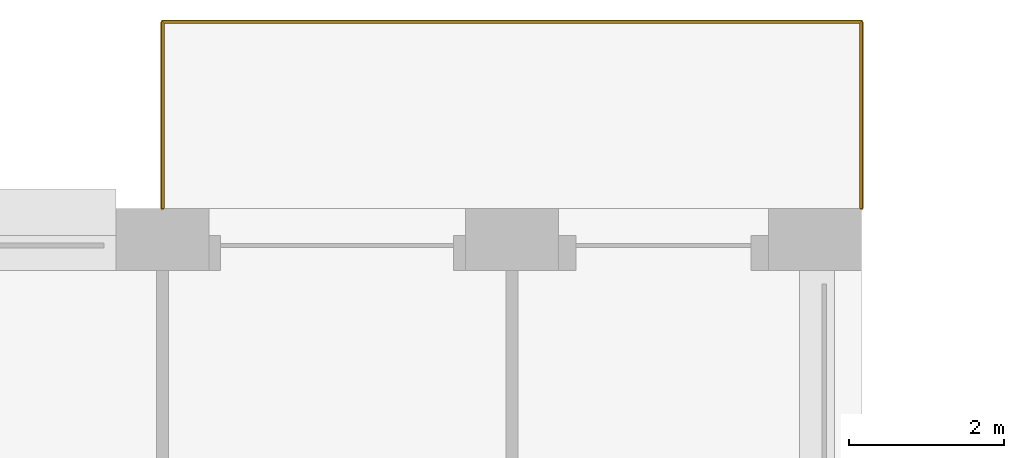
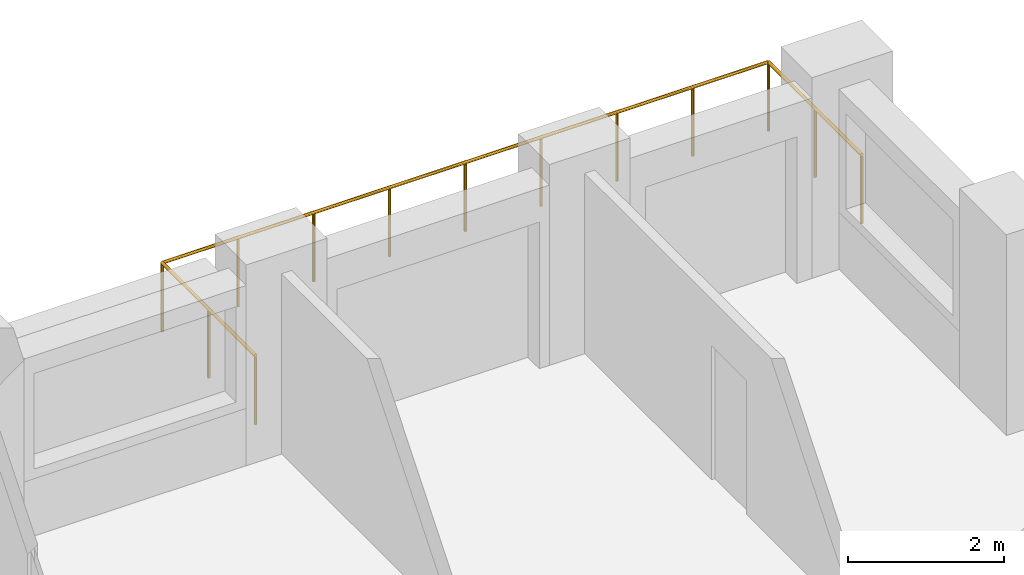
# One storey, part 19 of 19: 1 railing.
"""IFC4 building model written with IfcOpenShell, lengths in metres."""

import ifcopenshell
import ifcopenshell.guid

model = None  # the IFC model being written
_history = None  # IfcOwnerHistory: only IFC2X3 demands one
_inside = {}  # id of a spatial element -> (the spatial element, [elements in it])
_under = {}  # id of a project, library or spatial element -> (it, [spatial elements below it])
_declared = {}  # id of a project -> (the project, [libraries it declares])
_typed = {}  # id of a type object -> (the type object, [elements of that type])
_made_of = {}  # id of a material, layer set ... -> (it, [elements and type objects made of it])


def new_model(schema):
    """Start an empty IFC model of exactly this schema.

    Asked for "IFC4X3", IfcOpenShell would pick the latest addendum, in which some entities
    have other attributes; the version numbers below select the first issue.
    IFC2X3 requires an IfcOwnerHistory on every rooted entity: one is made here for all.
    """
    global model, _history
    if schema == "IFC4X3":
        model = ifcopenshell.file(schema_version=(4, 3, 0, 0))
    else:
        model = ifcopenshell.file(schema=schema)
    _inside.clear()
    _under.clear()
    _declared.clear()
    _typed.clear()
    _made_of.clear()
    _history = None
    if model.schema == "IFC2X3":
        org = make("IfcOrganization", Name="unknown")
        user = make(
            "IfcPersonAndOrganization",
            ThePerson=make("IfcPerson", FamilyName="unknown"),
            TheOrganization=org,
        )
        app = make(
            "IfcApplication",
            ApplicationDeveloper=org,
            Version="unknown",
            ApplicationFullName="unknown",
            ApplicationIdentifier="unknown",
        )
        _history = make(
            "IfcOwnerHistory",
            OwningUser=user,
            OwningApplication=app,
            ChangeAction="ADDED",
            CreationDate=0,
        )
    return model


def make(cls, **values):
    """One entity of the class cls with the attributes given. An attribute that is None is left unset."""
    return model.create_entity(
        cls, **{name: value for name, value in values.items() if value is not None}
    )


def rooted(cls, **values):
    """An entity with a GlobalId (a new one), such as an element, a storey or a relation."""
    return make(cls, GlobalId=ifcopenshell.guid.new(), OwnerHistory=_history, **values)


def si_unit(unit_type, name, prefix=None):
    """IfcSIUnit, for example si_unit("LENGTHUNIT", "METRE", prefix="MILLI")."""
    return make("IfcSIUnit", UnitType=unit_type, Prefix=prefix, Name=name)


def assignment(units):
    """IfcUnitAssignment: the units of a project."""
    return None if units is None else make("IfcUnitAssignment", Units=units)


def point(xyz):
    """IfcCartesianPoint."""
    return None if xyz is None else make("IfcCartesianPoint", Coordinates=xyz)


def direction(xyz):
    """IfcDirection."""
    return None if xyz is None else make("IfcDirection", DirectionRatios=xyz)


def frame(location, z_axis=None, x_axis=None):
    """IfcAxis2Placement3D, a coordinate frame: its origin and axes. An axis left out is left unset."""
    return make(
        "IfcAxis2Placement3D",
        Location=point(location),
        Axis=direction(z_axis),
        RefDirection=direction(x_axis),
    )


def frame_2d(location, x_axis=None):
    """IfcAxis2Placement2D, a coordinate frame in the plane: its origin and x axis."""
    return make(
        "IfcAxis2Placement2D", Location=point(location), RefDirection=direction(x_axis)
    )


def origin():
    """The frame at (0, 0, 0) with its axes left unset."""
    return frame((0.0, 0.0, 0.0))


def origin_2d():
    """The frame at (0, 0) in the plane with its x axis left unset."""
    return frame_2d((0.0, 0.0))


def place(relative_to, where):
    """IfcLocalPlacement: puts the frame where relative to a parent placement (None: the world)."""
    return make(
        "IfcLocalPlacement", PlacementRelTo=relative_to, RelativePlacement=where
    )


def context(
    kind, dimensions, precision=None, world=None, true_north=None, identifier=None
):
    """IfcGeometricRepresentationContext, for example the 3D "Model" context."""
    return make(
        "IfcGeometricRepresentationContext",
        ContextIdentifier=identifier,
        ContextType=kind,
        CoordinateSpaceDimension=dimensions,
        Precision=precision,
        WorldCoordinateSystem=world,
        TrueNorth=true_north,
    )


def subcontext(parent, identifier, kind, view, scale=None):
    """IfcGeometricRepresentationSubContext, for example "Body" below "Model"."""
    return make(
        "IfcGeometricRepresentationSubContext",
        ContextIdentifier=identifier,
        ContextType=kind,
        ParentContext=parent,
        TargetScale=scale,
        TargetView=view,
    )


def project(units=None, contexts=None):
    """IfcProject with its units and contexts."""
    return rooted(
        "IfcProject",
        Name="project",
        RepresentationContexts=contexts,
        UnitsInContext=assignment(units),
    )


def spatial(cls, under=None, at=None, **own):
    """A site, building, storey or space (cls), placed at a placement, below another one or the project."""
    s = rooted(cls, ObjectPlacement=at, **own)
    if under is not None:
        _under.setdefault(under.id(), (under, []))[1].append(s)
    return s


def profile(cls, at=None, kind="AREA", **sizes):
    """A parametric profile (cls). Its sizes go by their IFC names, for example OverallWidth=200.0."""
    return make(cls, ProfileType=kind, Position=at, **sizes)


def circle(**sizes):
    """IfcCircleProfileDef."""
    return profile("IfcCircleProfileDef", **sizes)


def extrude(swept, where, along, depth):
    """IfcExtrudedAreaSolid: the profile swept, set in the frame where, extruded along a direction by depth."""
    return make(
        "IfcExtrudedAreaSolid",
        SweptArea=swept,
        Position=where,
        ExtrudedDirection=direction(along),
        Depth=depth,
    )


def shape(context_of_items, identifier, shape_type, items):
    """IfcShapeRepresentation: the items that make up one representation, for example the "Body"."""
    return make(
        "IfcShapeRepresentation",
        ContextOfItems=context_of_items,
        RepresentationIdentifier=identifier,
        RepresentationType=shape_type,
        Items=items,
    )


def material(Name=None, Category=None):
    """IfcMaterial."""
    return make("IfcMaterial", Name=Name, Category=Category)


def made_of(thing, what):
    """Note that an element or type object is made of a material, layer set ...; save() writes the relation."""
    if what is not None:
        _made_of.setdefault(what.id(), (what, []))[1].append(thing)
    return thing


def type_object(cls, material=None, **own):
    """A type object (cls), such as IfcWallType, which elements share."""
    return made_of(rooted(cls, **own), material)


def element(
    cls,
    number,
    at=None,
    inside=None,
    cuts=None,
    type_object=None,
    material=None,
    context=None,
    identifier="Body",
    shape_type=None,
    held_by="IfcProductDefinitionShape",
    body=None,
    shapes=None,
    **own,
):
    """One element of the class cls, such as IfcWall. Its Tag is "e" and its number.

    at: its placement. inside: the storey or other place that contains it. cuts: it is an
    opening in that element (IfcRelVoidsElement). A single representation is given by context,
    identifier, shape_type and body (its items); several are given by shapes. held_by: the class
    of the entity that holds the representations. save() writes the other relations.
    """
    e = rooted(cls, Tag="e%d" % number, ObjectPlacement=at, **own)
    if body is not None:
        shapes = [shape(context, identifier, shape_type, body)]
    if shapes is not None:
        e.Representation = make(held_by, Representations=shapes)
    if inside is not None:
        _inside.setdefault(inside.id(), (inside, []))[1].append(e)
    if cuts is not None:
        rooted(
            "IfcRelVoidsElement", RelatingBuildingElement=cuts, RelatedOpeningElement=e
        )
    if type_object is not None:
        _typed.setdefault(type_object.id(), (type_object, []))[1].append(e)
    return made_of(e, material)


def aggregate(whole, parts):
    """IfcRelAggregates: a whole, such as a stair, and the parts it consists of."""
    return rooted("IfcRelAggregates", RelatingObject=whole, RelatedObjects=parts)


def save(model, path):
    """Write the relations noted so far, then the file.

    IfcRelAggregates (storeys below a building ...), IfcRelContainedInSpatialStructure (elements
    in a storey), IfcRelDefinesByType, IfcRelAssociatesMaterial and IfcRelDeclares: one each for
    every whole, place, type object, material and project.
    """
    for whole, parts in _under.values():
        aggregate(whole, parts)
    for where, things in _inside.values():
        rooted(
            "IfcRelContainedInSpatialStructure",
            RelatedElements=things,
            RelatingStructure=where,
        )
    for kind, things in _typed.values():
        rooted("IfcRelDefinesByType", RelatedObjects=things, RelatingType=kind)
    for what, things in _made_of.values():
        rooted("IfcRelAssociatesMaterial", RelatedObjects=things, RelatingMaterial=what)
    for by, libraries in _declared.values():
        rooted("IfcRelDeclares", RelatingContext=by, RelatedDefinitions=libraries)
    model.write(path)


model = new_model("IFC4")

# Units and contexts
model_context = context("Model", 3, precision=1e-05, world=origin(), true_north=direction((0.0, 1.0)))
body_context = subcontext(model_context, "Body", "Model", "MODEL_VIEW")
ifc_project = project(units=[si_unit("LENGTHUNIT", "METRE"), si_unit("AREAUNIT", "SQUARE_METRE"), si_unit("VOLUMEUNIT", "CUBIC_METRE"), si_unit("PLANEANGLEUNIT", "RADIAN"), si_unit("MASSUNIT", "GRAM", prefix="KILO")], contexts=[model_context])

# Site, building, storey
site_placement = place(None, origin())
site = spatial("IfcSite", under=ifc_project, at=site_placement, CompositionType="ELEMENT")
building_placement = place(site_placement, origin())
building = spatial("IfcBuilding", under=site, at=building_placement, Name="Brigalow Station Residences", CompositionType="ELEMENT")
storey_placement = place(building_placement, frame((0.0, 0.0, 22.64990234375)))
storey = spatial("IfcBuildingStorey", under=building, at=storey_placement, Name="L05", CompositionType="ELEMENT", Elevation=22.64990234375)

# Railing
ifc_material = material(Name="Stainless steel balustrade with laminated glass infill", Category="steel")
railing_type = type_object("IfcRailingType", Name="BALCONY GUARD 1100", PredefinedType="GUARDRAIL", material=ifc_material)
railing_placement = place(storey_placement, frame((72.0, 48.5, -0.039794921875)))
element("IfcRailing", 1, at=railing_placement, inside=storey, type_object=railing_type, Name="L05/balcony-guard/2", PredefinedType="GUARDRAIL", context=body_context, shape_type="SweptSolid", body=[
    extrude(circle(Radius=0.02392578125, at=origin_2d()), frame((0.0, 0.0, 1.076171875), z_axis=(0.0, 1.0, 0.0), x_axis=(-1.0, 0.0, 0.0)), (0.0, 0.0, 1.0), 2.39990234375),
    extrude(circle(Radius=0.02392578125, at=origin_2d()), frame((0.0, 2.39990234375, 1.076171875), z_axis=(-1.0, 0.0, 0.0), x_axis=(0.0, -1.0, 0.0)), (0.0, 0.0, 1.0), 9.0),
    extrude(circle(Radius=0.02392578125, at=origin_2d()), frame((-9.0, 2.39990234375, 1.076171875), z_axis=(0.0, -1.0, 0.0), x_axis=(1.0, 0.0, 0.0)), (0.0, 0.0, 1.0), 2.39990234375),
    extrude(circle(Radius=0.02099609375, at=origin_2d()), origin(), (0.0, 0.0, 1.0), 1.052001953125),
    extrude(circle(Radius=0.02099609375, at=origin_2d()), frame((0.0, 1.199951171875, 0.0)), (0.0, 0.0, 1.0), 1.052001953125),
    extrude(circle(Radius=0.02099609375, at=origin_2d()), frame((0.0, 2.39990234375, 0.0)), (0.0, 0.0, 1.0), 1.052001953125),
    extrude(circle(Radius=0.02099609375, at=origin_2d()), frame((-1.125, 2.39990234375, 0.0)), (0.0, 0.0, 1.0), 1.052001953125),
    extrude(circle(Radius=0.02099609375, at=origin_2d()), frame((-2.25, 2.39990234375, 0.0)), (0.0, 0.0, 1.0), 1.052001953125),
    extrude(circle(Radius=0.02099609375, at=origin_2d()), frame((-3.375, 2.39990234375, 0.0)), (0.0, 0.0, 1.0), 1.052001953125),
    extrude(circle(Radius=0.02099609375, at=origin_2d()), frame((-4.5, 2.39990234375, 0.0)), (0.0, 0.0, 1.0), 1.052001953125),
    extrude(circle(Radius=0.02099609375, at=origin_2d()), frame((-5.625, 2.39990234375, 0.0)), (0.0, 0.0, 1.0), 1.052001953125),
    extrude(circle(Radius=0.02099609375, at=origin_2d()), frame((-6.75, 2.39990234375, 0.0)), (0.0, 0.0, 1.0), 1.052001953125),
    extrude(circle(Radius=0.02099609375, at=origin_2d()), frame((-7.875, 2.39990234375, 0.0)), (0.0, 0.0, 1.0), 1.052001953125),
    extrude(circle(Radius=0.02099609375, at=origin_2d()), frame((-9.0, 2.39990234375, 0.0)), (0.0, 0.0, 1.0), 1.052001953125),
    extrude(circle(Radius=0.02099609375, at=origin_2d()), frame((-9.0, 1.199951171875, 0.0)), (0.0, 0.0, 1.0), 1.052001953125),
    extrude(circle(Radius=0.02099609375, at=origin_2d()), frame((-9.0, 0.0, 0.0)), (0.0, 0.0, 1.0), 1.052001953125),
])

save(model, "model.ifc")
